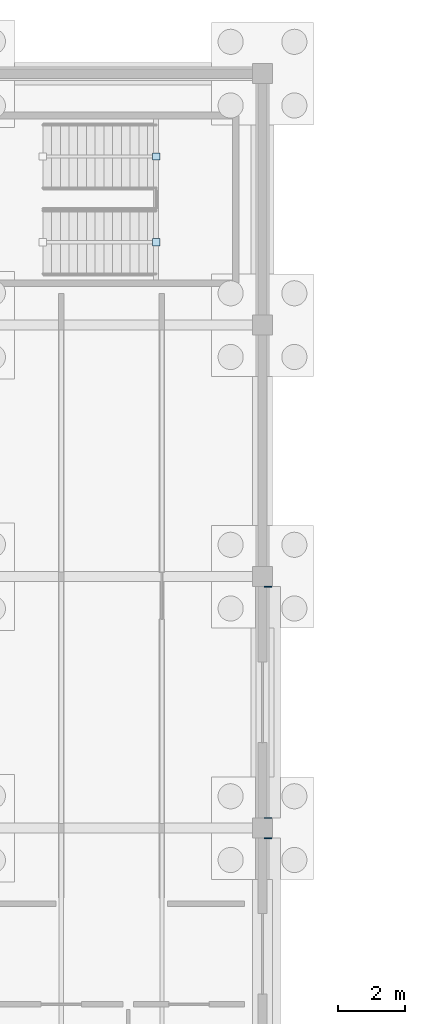
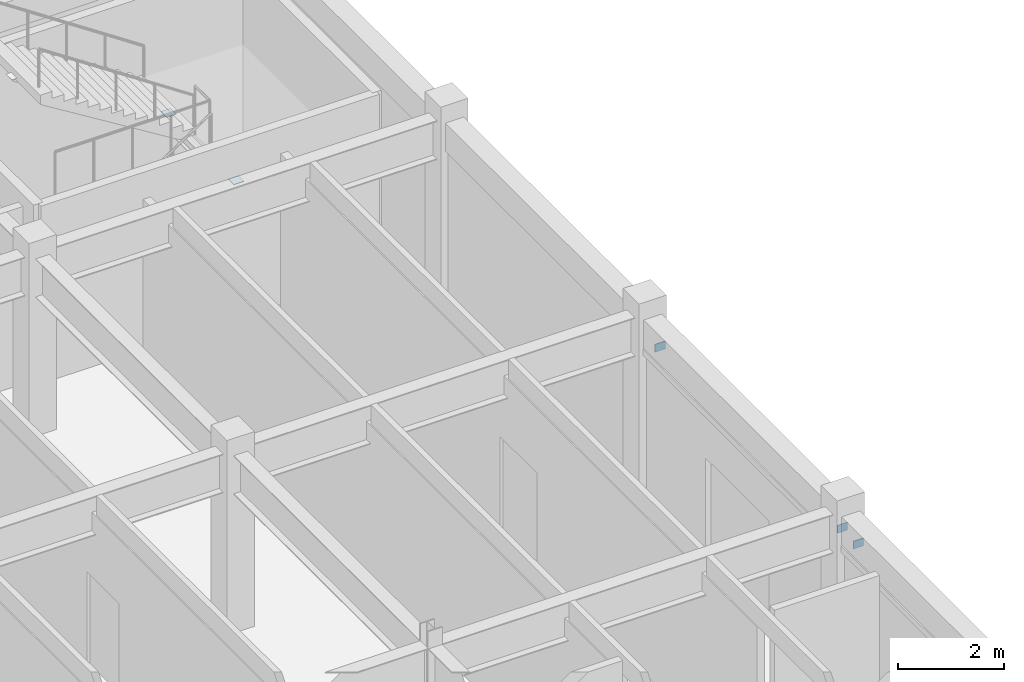
# One storey, part 69 of 93: 5 plates.
"""IFC4 building model written with IfcOpenShell, lengths in metres."""

from ifc_helpers import new_model, si_unit, direction, frame, origin, origin_2d, place, context, subcontext, project, spatial, rectangle, extrude, material, layer, layer_set, type_object, element, save


model = new_model("IFC4")

# Units and contexts
model_context = context("Model", 3, precision=1e-05, world=origin(), true_north=direction((0.0, 1.0)))
body_context = subcontext(model_context, "Body", "Model", "MODEL_VIEW")
ifc_project = project(units=[si_unit("LENGTHUNIT", "METRE"), si_unit("AREAUNIT", "SQUARE_METRE"), si_unit("VOLUMEUNIT", "CUBIC_METRE"), si_unit("PLANEANGLEUNIT", "RADIAN"), si_unit("MASSUNIT", "GRAM", prefix="KILO")], contexts=[model_context])

# Site, building, storey
site_placement = place(None, origin())
site = spatial("IfcSite", under=ifc_project, at=site_placement, CompositionType="ELEMENT")
building_placement = place(site_placement, origin())
building = spatial("IfcBuilding", under=site, at=building_placement, Name="Marnridge Secondary College", CompositionType="ELEMENT")
storey_placement = place(building_placement, origin())
storey = spatial("IfcBuildingStorey", under=building, at=storey_placement, Name="L00", CompositionType="ELEMENT", Elevation=0.0)

# Plates
ifc_material_1 = material(Name="Structural steel plate Grade 350 (AS/NZS 3678, fy = 350 MPa <=12mm, 340 MPa 12-20mm, 330 MPa 20-50mm)", Category="steel")
ifc_layer_1 = layer(ifc_material_1, 0.010009765625)
ifc_layer_set_1 = layer_set([ifc_layer_1], Name="PT-CAP-INT")
plate_type_1 = type_object("IfcPlateType", Name="PT-CAP-INT", PredefinedType="SHEET", material=ifc_layer_set_1)
for number, where, z_axis, x_axis, name in (
    (1, (32.828369140625, 114.969970703125, 2.1357421875), (0.0, 0.0, 1.0), (1.0, 0.0, 0.0), "Tube end cap STR-043-EC2"),
    (2, (32.828369140625, 117.530029296875, 2.13818359375), (0.0, 0.0, 1.0), (-1.0, 0.0, 0.0), "Tube end cap STR-044-EC1"),
):
    element("IfcPlate", number, at=place(storey_placement, frame(where, z_axis=z_axis, x_axis=x_axis)), inside=storey, type_object=plate_type_1, Name=name, PredefinedType="SHEET", context=body_context, shape_type="SweptSolid", body=[
        extrude(rectangle(XDim=0.219970703125, YDim=0.219970703125, at=origin_2d()), origin(), (0.0, 0.0, 1.0), 0.010009765625),
    ])
ifc_material_2 = material(Name="Structural steel plate Grade 350 (AS/NZS 3678, fy = 350 MPa <=12mm, 340 MPa 12-20mm, 330 MPa 20-50mm)", Category="steel")
ifc_layer_2 = layer(ifc_material_2, 0.02392578125)
ifc_layer_set_2 = layer_set([ifc_layer_2], Name="PT-GUS-GSN2")
plate_type_2 = type_object("IfcPlateType", Name="PT-GUS-GSN2", PredefinedType="USERDEFINED", material=ifc_layer_set_2)
for number, where, z_axis, x_axis, name in (
    (3, (36.159912109375, 104.699951171875, 3.27197265625), (0.0, 0.0, 1.0), (1.0, 0.0, 0.0), "Solar fin end bracket plate SFN-0016-BP1"),
    (4, (36.159912109375, 97.800048828125, 3.27197265625), (0.0, 0.0, 1.0), (1.0, 0.0, 0.0), "Solar fin end bracket plate SFN-0016-BP2"),
    (5, (36.159912109375, 97.199951171875, 3.27197265625), (0.0, 0.0, 1.0), (1.0, 0.0, 0.0), "Solar fin end bracket plate SFN-0017-BP1"),
):
    element("IfcPlate", number, at=place(storey_placement, frame(where, z_axis=z_axis, x_axis=x_axis)), inside=storey, type_object=plate_type_2, Name=name, ObjectType="GUSSET PLATE", PredefinedType="USERDEFINED", context=body_context, shape_type="SweptSolid", body=[
        extrude(rectangle(XDim=0.219970703125, YDim=0.01806640625, at=origin_2d()), origin(), (0.0, 0.0, 1.0), 0.179931640625),
    ])

save(model, "model.ifc")
